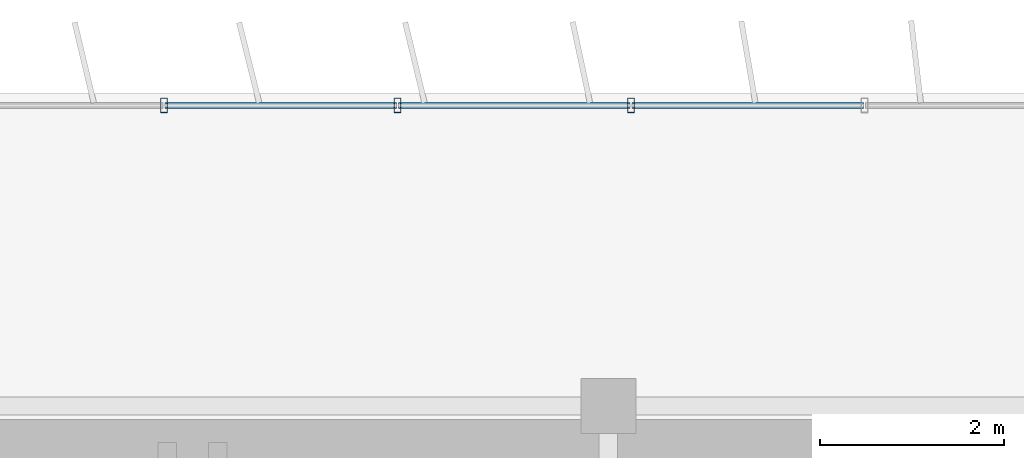
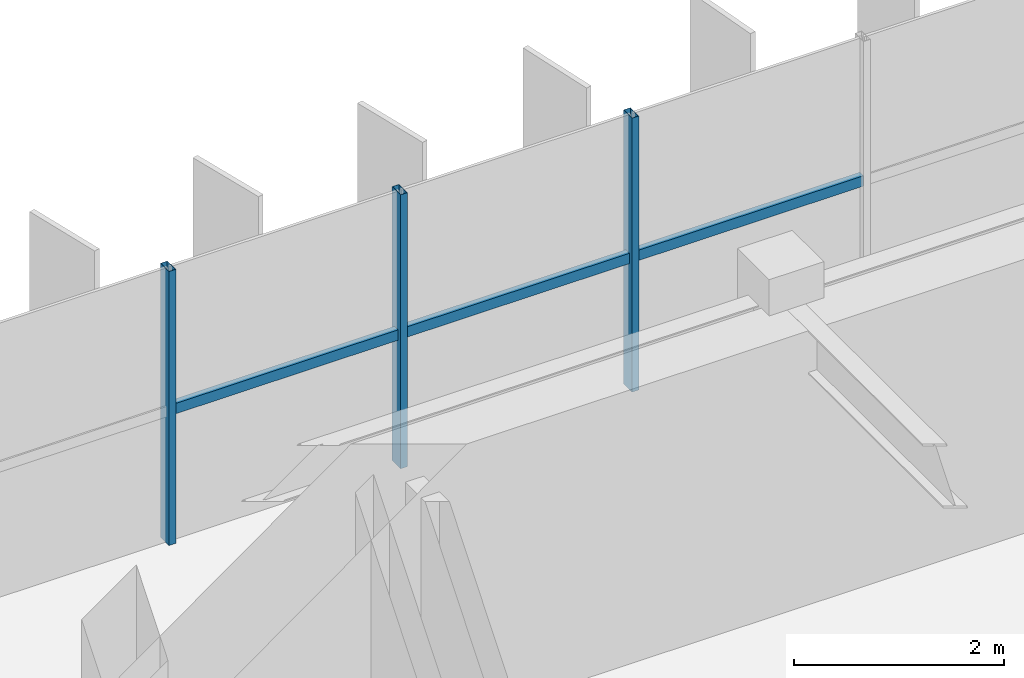
# One storey, part 12 of 26: 6 members, 1 element without a shape of its own.
"""IFC4 building model written with IfcOpenShell, lengths in metres."""

from ifc_helpers import new_model, si_unit, direction, frame, origin, origin_2d, place, context, subcontext, project, spatial, hollow_rectangle, extrude, source, transform, mapped, material, material_profile, profile_set, type_object, element, aggregate, save


model = new_model("IFC4")

# Units and contexts
model_context = context("Model", 3, precision=1e-05, world=origin(), true_north=direction((0.0, 1.0)))
body_context = subcontext(model_context, "Body", "Model", "MODEL_VIEW")
ifc_project = project(units=[si_unit("LENGTHUNIT", "METRE"), si_unit("AREAUNIT", "SQUARE_METRE"), si_unit("VOLUMEUNIT", "CUBIC_METRE"), si_unit("PLANEANGLEUNIT", "RADIAN"), si_unit("MASSUNIT", "GRAM", prefix="KILO")], contexts=[model_context])

# Site, building, storey
site_placement = place(None, origin())
site = spatial("IfcSite", under=ifc_project, at=site_placement, CompositionType="ELEMENT")
building_placement = place(site_placement, origin())
building = spatial("IfcBuilding", under=site, at=building_placement, Name="Trelvane Seafront Commons", CompositionType="ELEMENT")
storey_placement = place(building_placement, frame((0.0, 0.0, 291.89990234375)))
storey = spatial("IfcBuildingStorey", under=building, at=storey_placement, Name="L76", CompositionType="ELEMENT", Elevation=291.89990234375)

# Curtain wall, members
ifc_material = material(Name="Anodised pale-silver aluminium", Category="aluminium")
curtain_wall_type = type_object("IfcCurtainWallType", Name="ARCH-CW5-UPTOWER", PredefinedType="NOTDEFINED", material=ifc_material)
curtain_wall_placement = place(storey_placement, origin())
curtain_wall = element("IfcCurtainWall", 1, at=curtain_wall_placement, inside=storey, type_object=curtain_wall_type, Name="CW-L76-0120", PredefinedType="NOTDEFINED")
ifc_material_profile_1 = material_profile(ifc_material, hollow_rectangle(XDim=0.070068359375, YDim=0.1201171875, WallThickness=0.00390625, at=origin_2d()), Name="TRAN-70x120x4")
ifc_profile_set_1 = profile_set([ifc_material_profile_1], Name="Anodised pale-silver aluminium")
member_type_1 = type_object("IfcMemberType", Name="ARCH-CW-TRAN-120", PredefinedType="USERDEFINED", material=ifc_profile_set_1)
shared_shape_1 = source(origin(), body_context, "Body", "SweptSolid", [
    extrude(hollow_rectangle(XDim=0.070068359375, YDim=0.1201171875, WallThickness=0.00390625, at=origin_2d()), origin(), (0.0, 0.0, 1.0), 2.51708984375),
])
member_1_placement = place(storey_placement, frame((30.859130859375, 48.3701171875, 1.526123046875), z_axis=(1.0, 0.0, 0.0), x_axis=(0.0, 1.0, 0.0)))
member_1 = element("IfcMember", 2, at=member_1_placement, type_object=member_type_1, Name="CW-L76-0120-T06", ObjectType="TRANSOM", PredefinedType="USERDEFINED", context=body_context, shape_type="MappedRepresentation", body=[
    mapped(shared_shape_1, transform((0.0, 0.0, 0.0), x_axis=(1.0, 0.0, 0.0), y_axis=(0.0, 1.0, 0.0), z_axis=(0.0, 0.0, 1.0), scale=1.0)),
])
shared_shape_2 = source(origin(), body_context, "Body", "SweptSolid", [
    extrude(hollow_rectangle(XDim=0.070068359375, YDim=0.1201171875, WallThickness=0.00390625, at=origin_2d()), origin(), (0.0, 0.0, 1.0), 2.517333984375),
])
member_2_placement = place(storey_placement, frame((25.776611328125, 48.3701171875, 1.526123046875), z_axis=(1.0, 0.0, 0.0), x_axis=(0.0, 1.0, 0.0)))
member_2 = element("IfcMember", 3, at=member_2_placement, type_object=member_type_1, Name="CW-L76-0120-T04", ObjectType="TRANSOM", PredefinedType="USERDEFINED", context=body_context, shape_type="MappedRepresentation", body=[
    mapped(shared_shape_2, transform((0.0, 0.0, 0.0), x_axis=(1.0, 0.0, 0.0), y_axis=(0.0, 1.0, 0.0), z_axis=(0.0, 0.0, 1.0), scale=1.0)),
])
member_3_placement = place(storey_placement, frame((28.31787109375, 48.3701171875, 1.526123046875), z_axis=(1.0, 0.0, 0.0), x_axis=(0.0, 1.0, 0.0)))
member_3 = element("IfcMember", 4, at=member_3_placement, type_object=member_type_1, Name="CW-L76-0120-T05", ObjectType="TRANSOM", PredefinedType="USERDEFINED", context=body_context, shape_type="MappedRepresentation", body=[
    mapped(shared_shape_2, transform((0.0, 0.0, 0.0), x_axis=(1.0, 0.0, 0.0), y_axis=(0.0, 1.0, 0.0), z_axis=(0.0, 0.0, 1.0), scale=1.0)),
])
ifc_material_profile_2 = material_profile(ifc_material, hollow_rectangle(XDim=0.074951171875, YDim=0.159912109375, WallThickness=0.00390625, at=origin_2d()), Name="MULL-75x160x4")
ifc_profile_set_2 = profile_set([ifc_material_profile_2], Name="Anodised pale-silver aluminium")
member_type_2 = type_object("IfcMemberType", Name="ARCH-CW-MULL-160", PredefinedType="MULLION", material=ifc_profile_set_2)
shared_shape_3 = source(origin(), body_context, "Body", "SweptSolid", [
    extrude(hollow_rectangle(XDim=0.074951171875, YDim=0.159912109375, WallThickness=0.00390625, at=origin_2d()), origin(), (0.0, 0.0, 1.0), 3.18017578125),
])
member_4_placement = place(storey_placement, frame((25.7646484375, 48.3701171875, 0.0), z_axis=(0.0, 0.0, 1.0), x_axis=(1.0, 0.0, 0.0)))
member_4 = element("IfcMember", 5, at=member_4_placement, type_object=member_type_2, Name="CW-L76-0120-M04", PredefinedType="MULLION", context=body_context, shape_type="MappedRepresentation", body=[
    mapped(shared_shape_3, transform((0.0, 0.0, 0.0), x_axis=(1.0, 0.0, 0.0), y_axis=(0.0, 1.0, 0.0), z_axis=(0.0, 0.0, 1.0), scale=1.0)),
])
member_5_placement = place(storey_placement, frame((28.305908203125, 48.3701171875, 0.0), z_axis=(0.0, 0.0, 1.0), x_axis=(1.0, 0.0, 0.0)))
member_5 = element("IfcMember", 6, at=member_5_placement, type_object=member_type_2, Name="CW-L76-0120-M05", PredefinedType="MULLION", context=body_context, shape_type="MappedRepresentation", body=[
    mapped(shared_shape_3, transform((0.0, 0.0, 0.0), x_axis=(1.0, 0.0, 0.0), y_axis=(0.0, 1.0, 0.0), z_axis=(0.0, 0.0, 1.0), scale=1.0)),
])
member_6_placement = place(storey_placement, frame((30.84716796875, 48.3701171875, 0.0), z_axis=(0.0, 0.0, 1.0), x_axis=(1.0, 0.0, 0.0)))
member_6 = element("IfcMember", 7, at=member_6_placement, type_object=member_type_2, Name="CW-L76-0120-M06", PredefinedType="MULLION", context=body_context, shape_type="MappedRepresentation", body=[
    mapped(shared_shape_3, transform((0.0, 0.0, 0.0), x_axis=(1.0, 0.0, 0.0), y_axis=(0.0, 1.0, 0.0), z_axis=(0.0, 0.0, 1.0), scale=1.0)),
])
aggregate(curtain_wall, [member_4, member_5, member_6, member_2, member_3, member_1])

save(model, "model.ifc")
